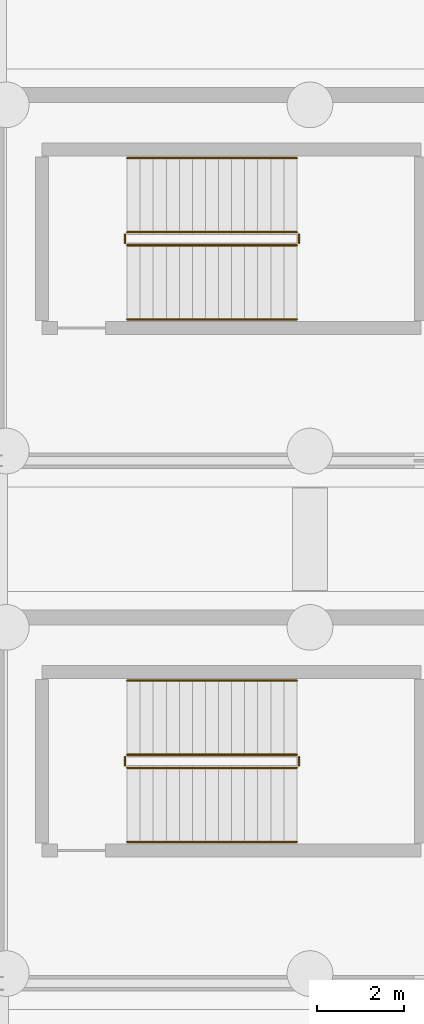
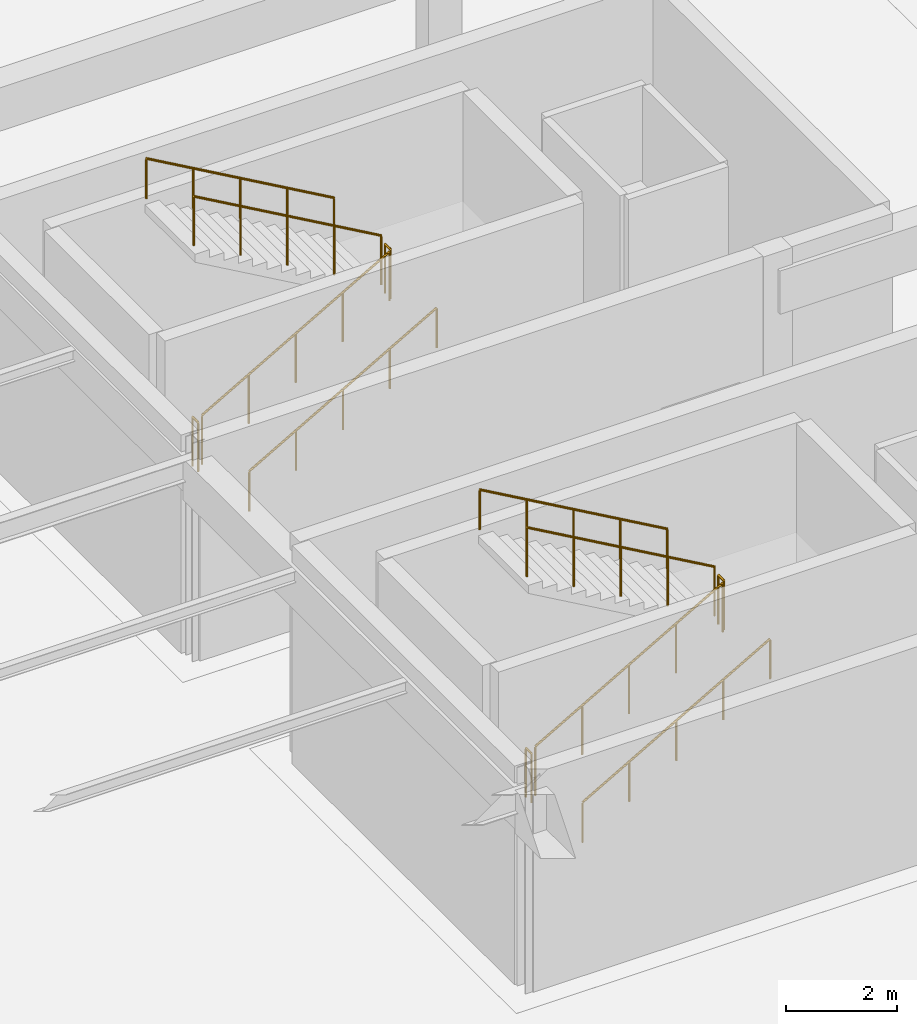
# One storey, part 131 of 136: 12 railings.
"""IFC4 building model written with IfcOpenShell, lengths in metres."""

from ifc_helpers import new_model, si_unit, direction, frame, origin, origin_2d, place, context, subcontext, project, spatial, circle, extrude, material, type_object, element, save


model = new_model("IFC4")

# Units and contexts
model_context = context("Model", 3, precision=1e-05, world=origin(), true_north=direction((0.0, 1.0)))
body_context = subcontext(model_context, "Body", "Model", "MODEL_VIEW")
ifc_project = project(units=[si_unit("LENGTHUNIT", "METRE"), si_unit("AREAUNIT", "SQUARE_METRE"), si_unit("VOLUMEUNIT", "CUBIC_METRE"), si_unit("PLANEANGLEUNIT", "RADIAN"), si_unit("MASSUNIT", "GRAM", prefix="KILO")], contexts=[model_context])

# Site, building, storey
site_placement = place(None, origin())
site = spatial("IfcSite", under=ifc_project, at=site_placement, CompositionType="ELEMENT")
building_placement = place(site_placement, origin())
building = spatial("IfcBuilding", under=site, at=building_placement, Name="Tarnwether General Hospital", CompositionType="ELEMENT")
storey_placement = place(building_placement, frame((0.0, 0.0, -4.800048828125)))
storey = spatial("IfcBuildingStorey", under=building, at=storey_placement, Name="LG", CompositionType="ELEMENT", Elevation=-4.800048828125)

# Railings
ifc_material_1 = material(Name="Anodised aluminium", Category="aluminium")
railing_type_1 = type_object("IfcRailingType", Name="RL-GRD-INT", PredefinedType="GUARDRAIL", material=ifc_material_1)
railing_1_placement = place(storey_placement, frame((27.0, 74.550048828125, 0.17138671875)))
element("IfcRailing", 1, at=railing_1_placement, inside=storey, type_object=railing_type_1, Name="LG ST-03 stair guard 1", PredefinedType="GUARDRAIL", context=body_context, shape_type="SweptSolid", body=[
    extrude(circle(Radius=0.02392578125, at=origin_2d()), frame((0.0, 0.0, 1.076171875), z_axis=(0.868219727965, 0.0, 0.496179910892), x_axis=(0.0, 1.0, 0.0)), (0.0, 0.0, 1.0), 4.491943359375),
    extrude(circle(Radius=0.02099609375, at=origin_2d()), origin(), (0.0, 0.0, 1.0), 1.052001953125),
    extrude(circle(Radius=0.02099609375, at=origin_2d()), frame((0.97509765625, 0.0, 0.55712890625)), (0.0, 0.0, 1.0), 1.052001953125),
    extrude(circle(Radius=0.02099609375, at=origin_2d()), frame((1.949951171875, 0.0, 1.1142578125)), (0.0, 0.0, 1.0), 1.052001953125),
    extrude(circle(Radius=0.02099609375, at=origin_2d()), frame((2.9248046875, 0.0, 1.671630859375)), (0.0, 0.0, 1.0), 1.052001953125),
    extrude(circle(Radius=0.02099609375, at=origin_2d()), frame((3.89990234375, 0.0, 2.228759765625)), (0.0, 0.0, 1.0), 1.052001953125),
])
railing_2_placement = place(storey_placement, frame((30.949951171875, 74.60009765625, 2.400146484375)))
element("IfcRailing", 2, at=railing_2_placement, inside=storey, type_object=railing_type_1, Name="LG ST-03 stair guard 2", PredefinedType="GUARDRAIL", context=body_context, shape_type="SweptSolid", body=[
    extrude(circle(Radius=0.02392578125, at=origin_2d()), frame((0.0, 0.0, 1.076171875), z_axis=(0.0, 1.0, 0.0), x_axis=(-1.0, 0.0, 0.0)), (0.0, 0.0, 1.0), 0.199951171875),
    extrude(circle(Radius=0.02099609375, at=origin_2d()), origin(), (0.0, 0.0, 1.0), 1.052001953125),
    extrude(circle(Radius=0.02099609375, at=origin_2d()), frame((0.0, 0.199951171875, 0.0)), (0.0, 0.0, 1.0), 1.052001953125),
])
railing_3_placement = place(storey_placement, frame((30.89990234375, 74.85009765625, 2.571533203125)))
element("IfcRailing", 3, at=railing_3_placement, inside=storey, type_object=railing_type_1, Name="LG ST-03 stair guard 3", PredefinedType="GUARDRAIL", context=body_context, shape_type="SweptSolid", body=[
    extrude(circle(Radius=0.02392578125, at=origin_2d()), frame((0.0, 0.0, 1.076171875), z_axis=(-0.868243142124, 0.0, 0.496138938357), x_axis=(0.0, -1.0, 0.0)), (0.0, 0.0, 1.0), 4.49169921875),
    extrude(circle(Radius=0.02099609375, at=origin_2d()), origin(), (0.0, 0.0, 1.0), 1.052001953125),
    extrude(circle(Radius=0.02099609375, at=origin_2d()), frame((-0.97509765625, 0.0, 0.55712890625)), (0.0, 0.0, 1.0), 1.052001953125),
    extrude(circle(Radius=0.02099609375, at=origin_2d()), frame((-1.949951171875, 0.0, 1.1142578125)), (0.0, 0.0, 1.0), 1.052001953125),
    extrude(circle(Radius=0.02099609375, at=origin_2d()), frame((-2.9248046875, 0.0, 1.67138671875)), (0.0, 0.0, 1.0), 1.052001953125),
    extrude(circle(Radius=0.02099609375, at=origin_2d()), frame((-3.89990234375, 0.0, 2.228515625)), (0.0, 0.0, 1.0), 1.052001953125),
])
railing_4_placement = place(storey_placement, frame((26.949951171875, 74.60009765625, 0.0)))
element("IfcRailing", 4, at=railing_4_placement, inside=storey, type_object=railing_type_1, Name="LG ST-03 stair guard 4", PredefinedType="GUARDRAIL", context=body_context, shape_type="SweptSolid", body=[
    extrude(circle(Radius=0.02392578125, at=origin_2d()), frame((0.0, 0.0, 1.076171875), z_axis=(0.0, 1.0, 0.0), x_axis=(-1.0, 0.0, 0.0)), (0.0, 0.0, 1.0), 0.199951171875),
    extrude(circle(Radius=0.02099609375, at=origin_2d()), origin(), (0.0, 0.0, 1.0), 1.052001953125),
    extrude(circle(Radius=0.02099609375, at=origin_2d()), frame((0.0, 0.199951171875, 0.0)), (0.0, 0.0, 1.0), 1.052001953125),
])
railing_5_placement = place(storey_placement, frame((27.0, 86.550048828125, 0.17138671875)))
element("IfcRailing", 5, at=railing_5_placement, inside=storey, type_object=railing_type_1, Name="LG ST-04 stair guard 1", PredefinedType="GUARDRAIL", context=body_context, shape_type="SweptSolid", body=[
    extrude(circle(Radius=0.02392578125, at=origin_2d()), frame((0.0, 0.0, 1.076171875), z_axis=(0.868219727965, 0.0, 0.496179910892), x_axis=(0.0, 1.0, 0.0)), (0.0, 0.0, 1.0), 4.491943359375),
    extrude(circle(Radius=0.02099609375, at=origin_2d()), origin(), (0.0, 0.0, 1.0), 1.052001953125),
    extrude(circle(Radius=0.02099609375, at=origin_2d()), frame((0.97509765625, 0.0, 0.55712890625)), (0.0, 0.0, 1.0), 1.052001953125),
    extrude(circle(Radius=0.02099609375, at=origin_2d()), frame((1.949951171875, 0.0, 1.1142578125)), (0.0, 0.0, 1.0), 1.052001953125),
    extrude(circle(Radius=0.02099609375, at=origin_2d()), frame((2.9248046875, 0.0, 1.671630859375)), (0.0, 0.0, 1.0), 1.052001953125),
    extrude(circle(Radius=0.02099609375, at=origin_2d()), frame((3.89990234375, 0.0, 2.228759765625)), (0.0, 0.0, 1.0), 1.052001953125),
])
railing_6_placement = place(storey_placement, frame((30.949951171875, 86.60009765625, 2.400146484375)))
element("IfcRailing", 6, at=railing_6_placement, inside=storey, type_object=railing_type_1, Name="LG ST-04 stair guard 2", PredefinedType="GUARDRAIL", context=body_context, shape_type="SweptSolid", body=[
    extrude(circle(Radius=0.02392578125, at=origin_2d()), frame((0.0, 0.0, 1.076171875), z_axis=(0.0, 1.0, 0.0), x_axis=(-1.0, 0.0, 0.0)), (0.0, 0.0, 1.0), 0.199951171875),
    extrude(circle(Radius=0.02099609375, at=origin_2d()), origin(), (0.0, 0.0, 1.0), 1.052001953125),
    extrude(circle(Radius=0.02099609375, at=origin_2d()), frame((0.0, 0.199951171875, 0.0)), (0.0, 0.0, 1.0), 1.052001953125),
])
railing_7_placement = place(storey_placement, frame((30.89990234375, 86.85009765625, 2.571533203125)))
element("IfcRailing", 7, at=railing_7_placement, inside=storey, type_object=railing_type_1, Name="LG ST-04 stair guard 3", PredefinedType="GUARDRAIL", context=body_context, shape_type="SweptSolid", body=[
    extrude(circle(Radius=0.02392578125, at=origin_2d()), frame((0.0, 0.0, 1.076171875), z_axis=(-0.868243142124, 0.0, 0.496138938357), x_axis=(0.0, -1.0, 0.0)), (0.0, 0.0, 1.0), 4.49169921875),
    extrude(circle(Radius=0.02099609375, at=origin_2d()), origin(), (0.0, 0.0, 1.0), 1.052001953125),
    extrude(circle(Radius=0.02099609375, at=origin_2d()), frame((-0.97509765625, 0.0, 0.55712890625)), (0.0, 0.0, 1.0), 1.052001953125),
    extrude(circle(Radius=0.02099609375, at=origin_2d()), frame((-1.949951171875, 0.0, 1.1142578125)), (0.0, 0.0, 1.0), 1.052001953125),
    extrude(circle(Radius=0.02099609375, at=origin_2d()), frame((-2.9248046875, 0.0, 1.67138671875)), (0.0, 0.0, 1.0), 1.052001953125),
    extrude(circle(Radius=0.02099609375, at=origin_2d()), frame((-3.89990234375, 0.0, 2.228515625)), (0.0, 0.0, 1.0), 1.052001953125),
])
railing_8_placement = place(storey_placement, frame((26.949951171875, 86.60009765625, 0.0)))
element("IfcRailing", 8, at=railing_8_placement, inside=storey, type_object=railing_type_1, Name="LG ST-04 stair guard 4", PredefinedType="GUARDRAIL", context=body_context, shape_type="SweptSolid", body=[
    extrude(circle(Radius=0.02392578125, at=origin_2d()), frame((0.0, 0.0, 1.076171875), z_axis=(0.0, 1.0, 0.0), x_axis=(-1.0, 0.0, 0.0)), (0.0, 0.0, 1.0), 0.199951171875),
    extrude(circle(Radius=0.02099609375, at=origin_2d()), origin(), (0.0, 0.0, 1.0), 1.052001953125),
    extrude(circle(Radius=0.02099609375, at=origin_2d()), frame((0.0, 0.199951171875, 0.0)), (0.0, 0.0, 1.0), 1.052001953125),
])
ifc_material_2 = material(Name="Anodised aluminium", Category="aluminium")
railing_type_2 = type_object("IfcRailingType", Name="RL-HND-INT", PredefinedType="HANDRAIL", material=ifc_material_2)
railing_9_placement = place(storey_placement, frame((27.0, 72.85009765625, 0.17138671875)))
element("IfcRailing", 9, at=railing_9_placement, inside=storey, type_object=railing_type_2, Name="LG ST-03 stair handrail 1", PredefinedType="HANDRAIL", context=body_context, shape_type="SweptSolid", body=[
    extrude(circle(Radius=0.02392578125, at=origin_2d()), frame((0.0, 0.0, 0.8759765625), z_axis=(0.868219727965, 0.0, 0.496179910892), x_axis=(0.0, 1.0, 0.0)), (0.0, 0.0, 1.0), 4.491943359375),
    extrude(circle(Radius=0.02099609375, at=origin_2d()), origin(), (0.0, 0.0, 1.0), 0.851806640625),
    extrude(circle(Radius=0.02099609375, at=origin_2d()), frame((0.97509765625, 0.0, 0.55712890625)), (0.0, 0.0, 1.0), 0.851806640625),
    extrude(circle(Radius=0.02099609375, at=origin_2d()), frame((1.949951171875, 0.0, 1.1142578125)), (0.0, 0.0, 1.0), 0.851806640625),
    extrude(circle(Radius=0.02099609375, at=origin_2d()), frame((2.9248046875, 0.0, 1.671630859375)), (0.0, 0.0, 1.0), 0.851806640625),
    extrude(circle(Radius=0.02099609375, at=origin_2d()), frame((3.89990234375, 0.0, 2.228759765625)), (0.0, 0.0, 1.0), 0.851806640625),
])
railing_10_placement = place(storey_placement, frame((30.89990234375, 76.550048828125, 2.571533203125)))
element("IfcRailing", 10, at=railing_10_placement, inside=storey, type_object=railing_type_2, Name="LG ST-03 stair handrail 2", PredefinedType="HANDRAIL", context=body_context, shape_type="SweptSolid", body=[
    extrude(circle(Radius=0.02392578125, at=origin_2d()), frame((0.0, 0.0, 0.8759765625), z_axis=(-0.868243142124, 0.0, 0.496138938357), x_axis=(0.0, -1.0, 0.0)), (0.0, 0.0, 1.0), 4.49169921875),
    extrude(circle(Radius=0.02099609375, at=origin_2d()), origin(), (0.0, 0.0, 1.0), 0.851806640625),
    extrude(circle(Radius=0.02099609375, at=origin_2d()), frame((-0.97509765625, 0.0, 0.55712890625)), (0.0, 0.0, 1.0), 0.851806640625),
    extrude(circle(Radius=0.02099609375, at=origin_2d()), frame((-1.949951171875, 0.0, 1.1142578125)), (0.0, 0.0, 1.0), 0.851806640625),
    extrude(circle(Radius=0.02099609375, at=origin_2d()), frame((-2.9248046875, 0.0, 1.67138671875)), (0.0, 0.0, 1.0), 0.851806640625),
    extrude(circle(Radius=0.02099609375, at=origin_2d()), frame((-3.89990234375, 0.0, 2.228515625)), (0.0, 0.0, 1.0), 0.851806640625),
])
railing_11_placement = place(storey_placement, frame((27.0, 84.85009765625, 0.17138671875)))
element("IfcRailing", 11, at=railing_11_placement, inside=storey, type_object=railing_type_2, Name="LG ST-04 stair handrail 1", PredefinedType="HANDRAIL", context=body_context, shape_type="SweptSolid", body=[
    extrude(circle(Radius=0.02392578125, at=origin_2d()), frame((0.0, 0.0, 0.8759765625), z_axis=(0.868219727965, 0.0, 0.496179910892), x_axis=(0.0, 1.0, 0.0)), (0.0, 0.0, 1.0), 4.491943359375),
    extrude(circle(Radius=0.02099609375, at=origin_2d()), origin(), (0.0, 0.0, 1.0), 0.851806640625),
    extrude(circle(Radius=0.02099609375, at=origin_2d()), frame((0.97509765625, 0.0, 0.55712890625)), (0.0, 0.0, 1.0), 0.851806640625),
    extrude(circle(Radius=0.02099609375, at=origin_2d()), frame((1.949951171875, 0.0, 1.1142578125)), (0.0, 0.0, 1.0), 0.851806640625),
    extrude(circle(Radius=0.02099609375, at=origin_2d()), frame((2.9248046875, 0.0, 1.671630859375)), (0.0, 0.0, 1.0), 0.851806640625),
    extrude(circle(Radius=0.02099609375, at=origin_2d()), frame((3.89990234375, 0.0, 2.228759765625)), (0.0, 0.0, 1.0), 0.851806640625),
])
railing_12_placement = place(storey_placement, frame((30.89990234375, 88.550048828125, 2.571533203125)))
element("IfcRailing", 12, at=railing_12_placement, inside=storey, type_object=railing_type_2, Name="LG ST-04 stair handrail 2", PredefinedType="HANDRAIL", context=body_context, shape_type="SweptSolid", body=[
    extrude(circle(Radius=0.02392578125, at=origin_2d()), frame((0.0, 0.0, 0.8759765625), z_axis=(-0.868243142124, 0.0, 0.496138938357), x_axis=(0.0, -1.0, 0.0)), (0.0, 0.0, 1.0), 4.49169921875),
    extrude(circle(Radius=0.02099609375, at=origin_2d()), origin(), (0.0, 0.0, 1.0), 0.851806640625),
    extrude(circle(Radius=0.02099609375, at=origin_2d()), frame((-0.97509765625, 0.0, 0.55712890625)), (0.0, 0.0, 1.0), 0.851806640625),
    extrude(circle(Radius=0.02099609375, at=origin_2d()), frame((-1.949951171875, 0.0, 1.1142578125)), (0.0, 0.0, 1.0), 0.851806640625),
    extrude(circle(Radius=0.02099609375, at=origin_2d()), frame((-2.9248046875, 0.0, 1.67138671875)), (0.0, 0.0, 1.0), 0.851806640625),
    extrude(circle(Radius=0.02099609375, at=origin_2d()), frame((-3.89990234375, 0.0, 2.228515625)), (0.0, 0.0, 1.0), 0.851806640625),
])

save(model, "model.ifc")
